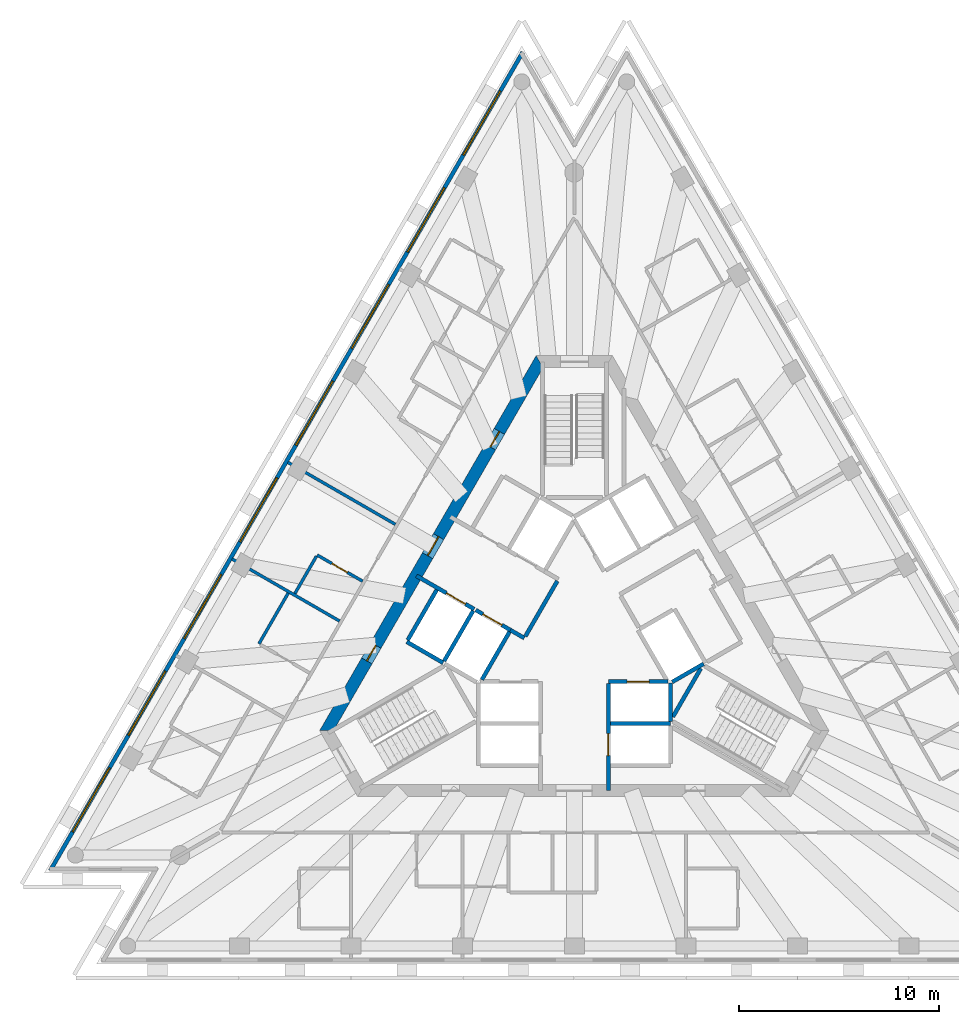
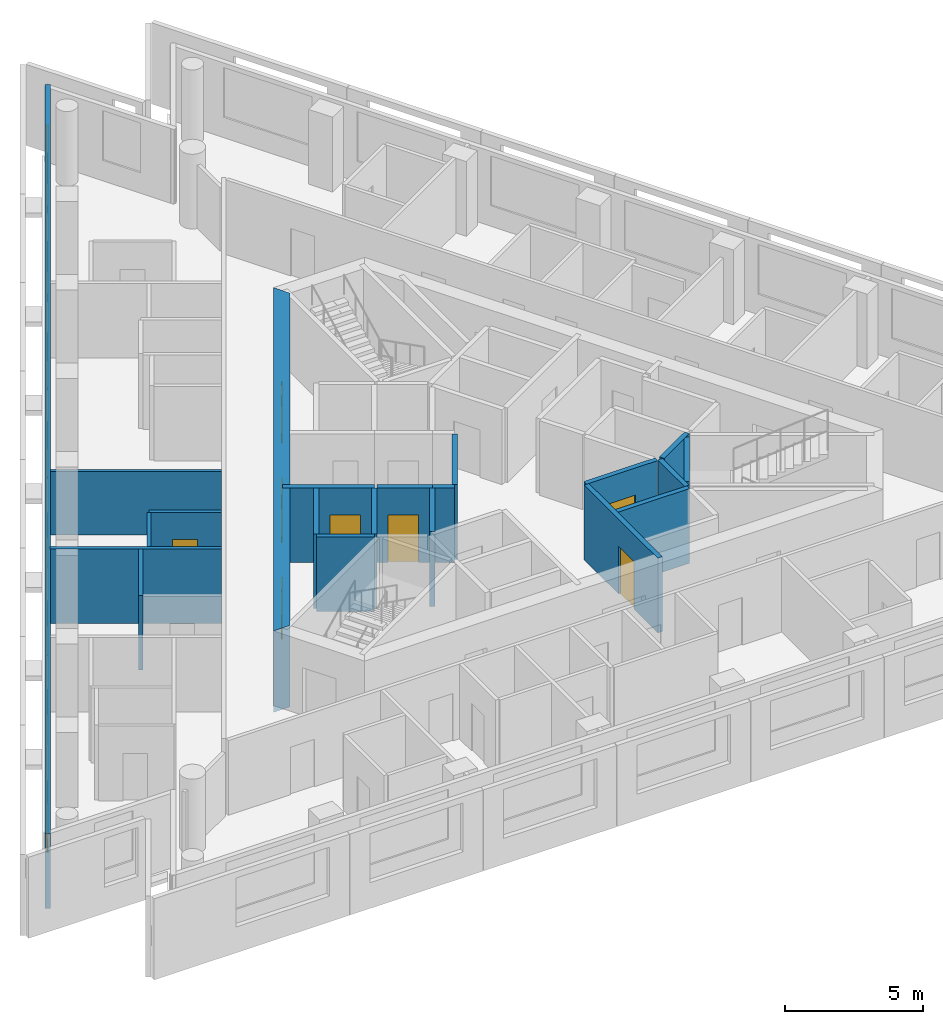
# One storey, part 4 of 10: 21 walls, 8 doors, 8 windows, 16 openings.
"""IFC4 building model written with IfcOpenShell, lengths in metres."""

from ifc_helpers import new_model, si_unit, direction, frame, frame_2d, origin, place, context, subcontext, project, spatial, polyline, rectangle, outline, extrude, material, layer, layer_set, layer_usage, type_object, element, fill, save


model = new_model("IFC4")

# Units and contexts
model_context = context("Model", 3, precision=1e-05, world=origin(), true_north=direction((0.0, 1.0)))
body_context = subcontext(model_context, "Body", "Model", "MODEL_VIEW")
ifc_project = project(units=[si_unit("LENGTHUNIT", "METRE"), si_unit("AREAUNIT", "SQUARE_METRE"), si_unit("VOLUMEUNIT", "CUBIC_METRE"), si_unit("PLANEANGLEUNIT", "RADIAN"), si_unit("MASSUNIT", "GRAM", prefix="KILO")], contexts=[model_context])

# Site, building, storey
site_placement = place(None, origin())
site = spatial("IfcSite", under=ifc_project, at=site_placement, CompositionType="ELEMENT")
building_placement = place(site_placement, origin())
building = spatial("IfcBuilding", under=site, at=building_placement, Name="Triada Interchange Tower", CompositionType="ELEMENT")
storey_placement = place(building_placement, frame((0.0, 0.0, 271.89990234375)))
storey = spatial("IfcBuildingStorey", under=building, at=storey_placement, Name="L63", CompositionType="ELEMENT", Elevation=271.89990234375)

# Walls
ifc_material_1 = material(Name="Concrete C30/37", Category="concrete")
ifc_layer_1 = layer(ifc_material_1, 0.199951171875)
ifc_layer_set_1 = layer_set([ifc_layer_1], Name="CORE WALL 200 EI 120")
wall_type_1 = type_object("IfcWallType", Name="CORE WALL 200 EI 120", PredefinedType="SOLIDWALL", material=ifc_layer_set_1)
wall_1_placement = place(storey_placement, frame((-8.3759765625, -0.70703125, 0.0), z_axis=(0.0, 0.0, 1.0), x_axis=(0.866067520717, -0.499927044236, 0.0)))
element("IfcWall", 1, at=wall_1_placement, inside=storey, type_object=wall_type_1, Name="Wall L62 66", PredefinedType="SOLIDWALL", context=body_context, shape_type="SweptSolid", body=[
    extrude(rectangle(XDim=2.100341796875, YDim=0.199951171875, at=frame_2d((1.05029296875, 0.0))), origin(), (0.0, 0.0, 1.0), 3.300048828125),
])
wall_2_placement = place(storey_placement, frame((-8.325927734375, -0.6201171875, 0.0), z_axis=(0.0, 0.0, 1.0), x_axis=(0.500023687443, 0.866011727401, 0.0)))
element("IfcWall", 2, at=wall_2_placement, inside=storey, type_object=wall_type_1, Name="Wall L62 67", PredefinedType="SOLIDWALL", context=body_context, shape_type="SweptSolid", body=[
    extrude(rectangle(XDim=2.899658203125, YDim=0.199951171875, at=frame_2d((1.44970703125, 0.0))), origin(), (0.0, 0.0, 1.0), 3.300048828125),
])
wall_3_placement = place(storey_placement, frame((1.800048828125, -4.800048828125, 0.0), z_axis=(0.0, 0.0, 1.0), x_axis=(1.0, 0.0, 0.0)))
element("IfcWall", 3, at=wall_3_placement, inside=storey, type_object=wall_type_1, Name="Wall L62 72", PredefinedType="SOLIDWALL", context=body_context, shape_type="SweptSolid", body=[
    extrude(rectangle(XDim=3.0, YDim=0.199951171875, at=frame_2d((1.5, 0.0))), origin(), (0.0, 0.0, 1.0), 3.300048828125),
])

# Wall, opening, door
wall_4_placement = place(storey_placement, frame((1.702880859375, -2.699951171875, 0.0), z_axis=(0.0, 0.0, 1.0), x_axis=(1.0, 0.0, 0.0)))
wall_4 = element("IfcWall", 4, at=wall_4_placement, inside=storey, type_object=wall_type_1, Name="Wall L62 75", PredefinedType="SOLIDWALL", context=body_context, shape_type="SweptSolid", body=[
    extrude(rectangle(XDim=2.97314453125, YDim=0.199951171875, at=frame_2d((1.486572265625, 0.0))), origin(), (0.0, 0.0, 1.0), 3.300048828125),
])
opening_1_placement = place(wall_4_placement, frame((0.93603515625, 0.0, 0.0)))
opening_1 = element("IfcOpeningElement", 5, at=opening_1_placement, cuts=wall_4, Name="Opening LD-HR1", PredefinedType="OPENING", context=body_context, shape_type="SweptSolid", body=[
    extrude(rectangle(XDim=1.10009765625, YDim=2.10009765625, at=frame_2d((0.550048828125, 1.050048828125))), frame((0.0, 0.10986328125, 0.0), z_axis=(0.0, -1.0, 0.0), x_axis=(1.0, 0.0, 0.0)), (0.0, 0.0, 1.0), 0.219970703125),
])
ifc_material_2 = material(Name="Steel S235 door leaf", Category="steel")
door_type_1 = type_object("IfcDoorType", Name="LIFT LANDING DOOR 1100 EI 120", OperationType="SLIDING_TO_LEFT", PredefinedType="DOOR", material=ifc_material_2)
door_1_placement = place(opening_1_placement, origin())
door_1 = element("IfcDoor", 6, at=door_1_placement, inside=storey, type_object=door_type_1, Name="HR1 landing door L63", OperationType="SLIDING_TO_LEFT", OverallHeight=2.10009765625, OverallWidth=1.10009765625, PredefinedType="DOOR", context=body_context, shape_type="SweptSolid", body=[
    extrude(rectangle(XDim=1.10009765625, YDim=2.10009765625, at=frame_2d((0.550048828125, 1.050048828125))), frame((0.0, 0.02490234375, 0.0), z_axis=(0.0, -1.0, 0.0), x_axis=(1.0, 0.0, 0.0)), (0.0, 0.0, 1.0), 0.050048828125),
])
fill(opening_1, door_1)

wall_5_placement = place(storey_placement, frame((1.699951171875, -8.1298828125, 0.0), z_axis=(0.0, 0.0, 1.0), x_axis=(0.0, 1.0, 0.0)))
wall_5 = element("IfcWall", 7, at=wall_5_placement, inside=storey, type_object=wall_type_1, Name="Wall L62 80", PredefinedType="SOLIDWALL", context=body_context, shape_type="SweptSolid", body=[
    extrude(rectangle(XDim=5.326904296875, YDim=0.199951171875, at=frame_2d((2.66357421875, 0.0))), origin(), (0.0, 0.0, 1.0), 3.300048828125),
])
opening_2_placement = place(wall_5_placement, frame((1.72998046875, 0.0, 0.0)))
opening_2 = element("IfcOpeningElement", 8, at=opening_2_placement, cuts=wall_5, Name="Opening LD-HR2", PredefinedType="OPENING", context=body_context, shape_type="SweptSolid", body=[
    extrude(rectangle(XDim=1.10009765625, YDim=2.10009765625, at=frame_2d((0.550048828125, 1.050048828125))), frame((0.0, 0.10986328125, 0.0), z_axis=(0.0, -1.0, 0.0), x_axis=(1.0, 0.0, 0.0)), (0.0, 0.0, 1.0), 0.219970703125),
])
door_2_placement = place(opening_2_placement, origin())
door_2 = element("IfcDoor", 9, at=door_2_placement, inside=storey, type_object=door_type_1, Name="HR2 landing door L63", OperationType="SLIDING_TO_LEFT", OverallHeight=2.10009765625, OverallWidth=1.10009765625, PredefinedType="DOOR", context=body_context, shape_type="SweptSolid", body=[
    extrude(rectangle(XDim=1.10009765625, YDim=2.10009765625, at=frame_2d((0.550048828125, 1.050048828125))), frame((0.0, 0.02490234375, 0.0), z_axis=(0.0, -1.0, 0.0), x_axis=(1.0, 0.0, 0.0)), (0.0, 0.0, 1.0), 0.050048828125),
])
fill(opening_2, door_2)

# Walls
wall_6_placement = place(storey_placement, frame((4.800048828125, -4.699951171875, 0.0), z_axis=(0.0, 0.0, 1.0), x_axis=(0.0, 1.0, 0.0)))
element("IfcWall", 10, at=wall_6_placement, inside=storey, type_object=wall_type_1, Name="Wall L62 82", PredefinedType="SOLIDWALL", context=body_context, shape_type="SweptSolid", body=[
    extrude(rectangle(XDim=1.928955078125, YDim=0.199951171875, at=frame_2d((0.96435546875, 0.0))), origin(), (0.0, 0.0, 1.0), 3.300048828125),
])
wall_7_placement = place(storey_placement, frame((4.89990234375, -2.714111328125, 0.0), z_axis=(0.0, 0.0, 1.0), x_axis=(0.865846928409, 0.500309001083, 0.0)))
element("IfcWall", 11, at=wall_7_placement, inside=storey, type_object=wall_type_1, Name="Wall L62 91", PredefinedType="SOLIDWALL", context=body_context, shape_type="SweptSolid", body=[
    extrude(rectangle(XDim=1.813232421875, YDim=0.199951171875, at=frame_2d((0.90673828125, 0.0))), origin(), (0.0, 0.0, 1.0), 3.300048828125),
])

# Wall, opening, door
ifc_layer_2 = layer(ifc_material_1, 0.199951171875)
ifc_layer_set_2 = layer_set([ifc_layer_2], Name="CORE WALL 200 EI 180")
wall_type_2 = type_object("IfcWallType", Name="CORE WALL 200 EI 180", PredefinedType="SOLIDWALL", material=ifc_layer_set_2)
wall_8_placement = place(storey_placement, frame((-7.89111328125, 2.593017578125, 0.0), z_axis=(0.0, 0.0, 1.0), x_axis=(0.866070917804, -0.499921159118, 0.0)))
wall_8 = element("IfcWall", 12, at=wall_8_placement, inside=storey, type_object=wall_type_2, Name="Wall L62 92", PredefinedType="SOLIDWALL", context=body_context, shape_type="SweptSolid", body=[
    extrude(rectangle(XDim=3.33251953125, YDim=0.199951171875, at=frame_2d((1.666259765625, 0.0))), origin(), (0.0, 0.0, 1.0), 3.300048828125),
])
opening_3_placement = place(wall_8_placement, frame((1.72998046875, 0.0, 0.0)))
opening_3 = element("IfcOpeningElement", 13, at=opening_3_placement, cuts=wall_8, Name="Opening LD-SV1", PredefinedType="OPENING", context=body_context, shape_type="SweptSolid", body=[
    extrude(rectangle(XDim=1.10009765625, YDim=2.10009765625, at=frame_2d((0.550048828125, 1.050048828125))), frame((0.0, 0.10986328125, 0.0), z_axis=(0.0, -1.0, 0.0), x_axis=(1.0, 0.0, 0.0)), (0.0, 0.0, 1.0), 0.219970703125),
])
door_3_placement = place(opening_3_placement, origin())
door_3 = element("IfcDoor", 14, at=door_3_placement, inside=storey, type_object=door_type_1, Name="SV1 landing door L63", OperationType="SLIDING_TO_LEFT", OverallHeight=2.10009765625, OverallWidth=1.10009765625, PredefinedType="DOOR", context=body_context, shape_type="SweptSolid", body=[
    extrude(rectangle(XDim=1.10009765625, YDim=2.10009765625, at=frame_2d((0.550048828125, 1.050048828125))), frame((0.0, 0.02490234375, 0.0), z_axis=(0.0, -1.0, 0.0), x_axis=(1.0, 0.0, 0.0)), (0.0, 0.0, 1.0), 0.050048828125),
])
fill(opening_3, door_3)

# Walls
wall_9_placement = place(storey_placement, frame((-3.18798828125, -0.1220703125, 0.0), z_axis=(0.0, 0.0, 1.0), x_axis=(0.865705793592, -0.50055317294, 0.0)))
element("IfcWall", 15, at=wall_9_placement, inside=storey, type_object=wall_type_2, Name="Wall L62 93", PredefinedType="SOLIDWALL", context=body_context, shape_type="SweptSolid", body=[
    extrude(rectangle(XDim=0.796875, YDim=0.199951171875, at=frame_2d((0.3984375, 0.0))), origin(), (0.0, 0.0, 1.0), 3.300048828125),
])
wall_10_placement = place(storey_placement, frame((-2.444091796875, -0.43310546875, 0.0), z_axis=(0.0, 0.0, 1.0), x_axis=(0.500035624827, 0.866004834804, 0.0)))
element("IfcWall", 16, at=wall_10_placement, inside=storey, type_object=wall_type_2, Name="Wall L62 98", PredefinedType="SOLIDWALL", context=body_context, shape_type="SweptSolid", body=[
    extrude(rectangle(XDim=3.194091796875, YDim=0.199951171875, at=frame_2d((1.59716796875, 0.0))), origin(), (0.0, 0.0, 1.0), 3.300048828125),
])
wall_11_placement = place(storey_placement, frame((-6.507080078125, -1.669921875, 0.0), z_axis=(0.0, 0.0, 1.0), x_axis=(0.50012328804, 0.865954211699, 0.0)))
element("IfcWall", 17, at=wall_11_placement, inside=storey, type_object=wall_type_2, Name="Shaft wall FF1 L62 99", PredefinedType="SOLIDWALL", context=body_context, shape_type="SweptSolid", body=[
    extrude(rectangle(XDim=2.899658203125, YDim=0.199951171875, at=frame_2d((1.44970703125, 0.0))), origin(), (0.0, 0.0, 1.0), 3.300048828125),
])

# Wall, opening, door
wall_12_placement = place(storey_placement, frame((-4.922119140625, 0.87890625, 0.0), z_axis=(0.0, 0.0, 1.0), x_axis=(0.866073918653, -0.499915960366, 0.0)))
wall_12 = element("IfcWall", 18, at=wall_12_placement, inside=storey, type_object=wall_type_2, Name="Shaft wall FF1 L62 101", PredefinedType="SOLIDWALL", context=body_context, shape_type="SweptSolid", body=[
    extrude(rectangle(XDim=2.002197265625, YDim=0.199951171875, at=frame_2d((1.0009765625, 0.0))), origin(), (0.0, 0.0, 1.0), 3.300048828125),
])
opening_4_placement = place(wall_12_placement, frame((0.402099609375, 0.0, 0.0)))
opening_4 = element("IfcOpeningElement", 19, at=opening_4_placement, cuts=wall_12, Name="Opening LD-FF1", PredefinedType="OPENING", context=body_context, shape_type="SweptSolid", body=[
    extrude(rectangle(XDim=1.10009765625, YDim=2.10009765625, at=frame_2d((0.550048828125, 1.050048828125))), frame((0.0, 0.10986328125, 0.0), z_axis=(0.0, -1.0, 0.0), x_axis=(1.0, 0.0, 0.0)), (0.0, 0.0, 1.0), 0.219970703125),
])
door_4_placement = place(opening_4_placement, origin())
door_4 = element("IfcDoor", 20, at=door_4_placement, inside=storey, type_object=door_type_1, Name="FF1 landing door L63", OperationType="SLIDING_TO_LEFT", OverallHeight=2.10009765625, OverallWidth=1.10009765625, PredefinedType="DOOR", context=body_context, shape_type="SweptSolid", body=[
    extrude(rectangle(XDim=1.10009765625, YDim=2.10009765625, at=frame_2d((0.550048828125, 1.050048828125))), frame((0.0, 0.02490234375, 0.0), z_axis=(0.0, -1.0, 0.0), x_axis=(1.0, 0.0, 0.0)), (0.0, 0.0, 1.0), 0.050048828125),
])
fill(opening_4, door_4)

# Walls
wall_13_placement = place(storey_placement, frame((-4.618896484375, -2.60009765625, 0.0), z_axis=(0.0, 0.0, 1.0), x_axis=(0.50009492287, 0.865970593103, 0.0)))
element("IfcWall", 21, at=wall_13_placement, inside=storey, type_object=wall_type_2, Name="Shaft wall FF1 L62 102", PredefinedType="SOLIDWALL", context=body_context, shape_type="SweptSolid", body=[
    extrude(rectangle(XDim=2.76123046875, YDim=0.199951171875, at=frame_2d((1.380615234375, 0.0))), origin(), (0.0, 0.0, 1.0), 3.300048828125),
])
ifc_layer_3 = layer(ifc_material_1, 0.199951171875)
ifc_layer_set_3 = layer_set([ifc_layer_3], Name="CORE WALL 200 REI 240")
wall_type_3 = type_object("IfcWallType", Name="CORE WALL 200 REI 240", PredefinedType="SOLIDWALL", material=ifc_layer_set_3)
wall_14_placement = place(storey_placement, frame((4.928955078125, -4.4619140625, 0.0), z_axis=(0.0, 0.0, 1.0), x_axis=(0.500200581029, 0.865909567298, 0.0)))
element("IfcWall", 22, at=wall_14_placement, inside=storey, type_object=wall_type_3, Name="Wall L62 119", PredefinedType="SOLIDWALL", context=body_context, shape_type="SweptSolid", body=[
    extrude(rectangle(XDim=2.799072265625, YDim=0.199951171875, at=frame_2d((1.3994140625, 0.0))), origin(), (0.0, 0.0, 1.0), 3.300048828125),
])

# Wall, openings, doors
ifc_material_3 = material(Name="Concrete C40/50", Category="concrete")
ifc_layer_4 = layer(ifc_material_3, 0.60009765625)
ifc_layer_set_4 = layer_set([ifc_layer_4], Name="Core wall D 600")
wall_type_4 = type_object("IfcWallType", Name="Core wall D 600", PredefinedType="SHEAR", material=ifc_layer_set_4)
wall_15_placement = place(storey_placement, frame((-1.73193359375, 13.300048828125, -0.2998046875), z_axis=(0.0, 0.0, 1.0), x_axis=(-0.500000539815, -0.866025092122, 0.0)))
wall_15 = element("IfcWall", 23, at=wall_15_placement, inside=storey, type_object=wall_type_4, Name="Core wall WD02 L63", PredefinedType="SHEAR", context=body_context, shape_type="SweptSolid", body=[
    extrude(outline(polyline([(-0.173095703125, -0.300048828125), (1.795166015625, -0.300048828125), (3.763427734375, -0.30029296875), (5.731689453125, -0.30029296875), (7.699951171875, -0.30029296875), (9.668212890625, -0.300537109375), (11.63671875, -0.300537109375), (13.60498046875, -0.30078125), (15.5732421875, -0.30078125), (17.54150390625, -0.30078125), (19.509765625, -0.301025390625), (21.47802734375, -0.301025390625), (21.131103515625, 0.300048828125), (19.225830078125, 0.300048828125), (17.320556640625, 0.300048828125), (15.415283203125, 0.300048828125), (13.510009765625, 0.300048828125), (11.604736328125, 0.300048828125), (9.699462890625, 0.300048828125), (7.794189453125, 0.300048828125), (5.888916015625, 0.300048828125), (3.983642578125, 0.300048828125), (2.078369140625, 0.300048828125), (0.173095703125, 0.300048828125), (-0.173095703125, -0.300048828125)])), origin(), (0.0, 0.0, 1.0), 3.599853515625),
])
opening_5_placement = place(wall_15_placement, frame((10.10205078125, 0.0, 0.300048828125)))
opening_5 = element("IfcOpeningElement", 24, at=opening_5_placement, cuts=wall_15, Name="Opening D62-51", PredefinedType="OPENING", context=body_context, shape_type="SweptSolid", body=[
    extrude(rectangle(XDim=1.10009765625, YDim=2.10009765625, at=frame_2d((0.550048828125, 1.050048828125))), frame((0.0, 0.31005859375, 0.0), z_axis=(0.0, -1.0, 0.0), x_axis=(1.0, 0.0, 0.0)), (0.0, 0.0, 1.0), 0.62109375),
])
opening_6_placement = place(wall_15_placement, frame((16.3779296875, 0.0, 0.300048828125)))
opening_6 = element("IfcOpeningElement", 25, at=opening_6_placement, cuts=wall_15, Name="Opening D62-52", PredefinedType="OPENING", context=body_context, shape_type="SweptSolid", body=[
    extrude(rectangle(XDim=0.89990234375, YDim=2.10009765625, at=frame_2d((0.449951171875, 1.050048828125))), frame((0.0, 0.31005859375, 0.0), z_axis=(0.0, -1.0, 0.0), x_axis=(1.0, 0.0, 0.0)), (0.0, 0.0, 1.0), 0.62109375),
])
opening_7_placement = place(wall_15_placement, frame((4.02587890625, 0.0, 0.300048828125)))
opening_7 = element("IfcOpeningElement", 26, at=opening_7_placement, cuts=wall_15, Name="Opening D62-54", PredefinedType="OPENING", context=body_context, shape_type="SweptSolid", body=[
    extrude(rectangle(XDim=0.89990234375, YDim=2.10009765625, at=frame_2d((0.449951171875, 1.050048828125))), frame((0.0, 0.31005859375, 0.0), z_axis=(0.0, -1.0, 0.0), x_axis=(1.0, 0.0, 0.0)), (0.0, 0.0, 1.0), 0.62109375),
])
door_type_2 = type_object("IfcDoorType", Name="FIRE LOBBY DOOR 1100 EI2 90-C5S200", OperationType="NOTDEFINED", PredefinedType="DOOR", material=ifc_material_2)
door_5_placement = place(opening_5_placement, origin())
door_5 = element("IfcDoor", 27, at=door_5_placement, inside=storey, type_object=door_type_2, Name="Door D62-51 L63", OperationType="SINGLE_SWING_RIGHT", OverallHeight=2.10009765625, OverallWidth=1.10009765625, PredefinedType="DOOR", context=body_context, shape_type="SweptSolid", body=[
    extrude(rectangle(XDim=1.10009765625, YDim=2.10009765625, at=frame_2d((0.550048828125, 1.050048828125))), frame((0.0, 0.02490234375, 0.0), z_axis=(0.0, -1.0, 0.0), x_axis=(1.0, 0.0, 0.0)), (0.0, 0.0, 1.0), 0.050048828125),
])
fill(opening_5, door_5)
door_type_3 = type_object("IfcDoorType", Name="SERVICE DOOR 900 EI2 45-C5S200", OperationType="NOTDEFINED", PredefinedType="DOOR", material=ifc_material_2)
door_6_placement = place(opening_6_placement, origin())
door_6 = element("IfcDoor", 28, at=door_6_placement, inside=storey, type_object=door_type_3, Name="Door D62-52 L63", OperationType="SINGLE_SWING_RIGHT", OverallHeight=2.10009765625, OverallWidth=0.89990234375, PredefinedType="DOOR", context=body_context, shape_type="SweptSolid", body=[
    extrude(rectangle(XDim=0.89990234375, YDim=2.10009765625, at=frame_2d((0.449951171875, 1.050048828125))), frame((0.0, 0.02490234375, 0.0), z_axis=(0.0, -1.0, 0.0), x_axis=(1.0, 0.0, 0.0)), (0.0, 0.0, 1.0), 0.050048828125),
])
fill(opening_6, door_6)
door_7_placement = place(opening_7_placement, origin())
door_7 = element("IfcDoor", 29, at=door_7_placement, inside=storey, type_object=door_type_3, Name="Door D62-54 L63", OperationType="SINGLE_SWING_LEFT", OverallHeight=2.10009765625, OverallWidth=0.89990234375, PredefinedType="DOOR", context=body_context, shape_type="SweptSolid", body=[
    extrude(rectangle(XDim=0.89990234375, YDim=2.10009765625, at=frame_2d((0.449951171875, 1.050048828125))), frame((0.0, 0.02490234375, 0.0), z_axis=(0.0, -1.0, 0.0), x_axis=(1.0, 0.0, 0.0)), (0.0, 0.0, 1.0), 0.050048828125),
])
fill(opening_7, door_7)

# Wall, openings, windows
ifc_material_4 = material(Name="Cement board")
ifc_layer_5 = layer(ifc_material_4, 0.02001953125, Name="Cement board cladding")
ifc_material_5 = material(Name="Sheathing board")
ifc_layer_6 = layer(ifc_material_5, 0.014892578125, Name="Sheathing board")
ifc_material_6 = material(Name="Mineral wool")
ifc_layer_7 = layer(ifc_material_6, 0.14990234375, Name="Mineral wool between steel studs")
ifc_material_7 = material(Name="Gypsum board")
ifc_layer_8 = layer(ifc_material_7, 0.014892578125, Name="Plasterboard lining")
ifc_layer_set_5 = layer_set([ifc_layer_5, ifc_layer_6, ifc_layer_7, ifc_layer_8], Name="External wall 200")
ifc_layer_usage = layer_usage(ifc_layer_set_5, "AXIS2", "POSITIVE", -0.10009765625)
wall_type_5 = type_object("IfcWallType", Name="External wall 200", PredefinedType="ELEMENTEDWALL", material=ifc_layer_set_5)
wall_16_placement = place(storey_placement, frame((-2.576904296875, 28.77099609375, 0.0), z_axis=(0.0, 0.0, 1.0), x_axis=(-0.49999909388, -0.866025926932, 0.0)))
wall_16 = element("IfcWall", 30, at=wall_16_placement, inside=storey, type_object=wall_type_5, material=ifc_layer_usage, Name="External wall L63 NW", PredefinedType="ELEMENTEDWALL", context=body_context, shape_type="SweptSolid", body=[
    extrude(rectangle(XDim=47.236328125, YDim=0.199951171875, at=frame_2d((23.6181640625, 0.0))), origin(), (0.0, 0.0, 1.0), 3.300048828125),
])
opening_8_placement = place(wall_16_placement, frame((2.242919921875, 0.0, 0.89990234375)))
opening_8 = element("IfcOpeningElement", 31, at=opening_8_placement, cuts=wall_16, Name="Opening WD01", PredefinedType="OPENING", context=body_context, shape_type="SweptSolid", body=[
    extrude(rectangle(XDim=3.699951171875, YDim=2.199951171875, at=frame_2d((1.85009765625, 1.10009765625))), frame((0.0, 0.10986328125, 0.0), z_axis=(0.0, -1.0, 0.0), x_axis=(1.0, 0.0, 0.0)), (0.0, 0.0, 1.0), 0.219970703125),
])
opening_9_placement = place(wall_16_placement, frame((7.823974609375, 0.0, 0.89990234375)))
opening_9 = element("IfcOpeningElement", 32, at=opening_9_placement, cuts=wall_16, Name="Opening WD02", PredefinedType="OPENING", context=body_context, shape_type="SweptSolid", body=[
    extrude(rectangle(XDim=3.699951171875, YDim=2.199951171875, at=frame_2d((1.85009765625, 1.10009765625))), frame((0.0, 0.10986328125, 0.0), z_axis=(0.0, -1.0, 0.0), x_axis=(1.0, 0.0, 0.0)), (0.0, 0.0, 1.0), 0.219970703125),
])
opening_10_placement = place(wall_16_placement, frame((13.406005859375, 0.0, 0.89990234375)))
opening_10 = element("IfcOpeningElement", 33, at=opening_10_placement, cuts=wall_16, Name="Opening WD03", PredefinedType="OPENING", context=body_context, shape_type="SweptSolid", body=[
    extrude(rectangle(XDim=3.699951171875, YDim=2.199951171875, at=frame_2d((1.85009765625, 1.10009765625))), frame((0.0, 0.10986328125, 0.0), z_axis=(0.0, -1.0, 0.0), x_axis=(1.0, 0.0, 0.0)), (0.0, 0.0, 1.0), 0.219970703125),
])
opening_11_placement = place(wall_16_placement, frame((18.987060546875, 0.0, 0.89990234375)))
opening_11 = element("IfcOpeningElement", 34, at=opening_11_placement, cuts=wall_16, Name="Opening WD04", PredefinedType="OPENING", context=body_context, shape_type="SweptSolid", body=[
    extrude(rectangle(XDim=3.699951171875, YDim=2.199951171875, at=frame_2d((1.85009765625, 1.10009765625))), frame((0.0, 0.10986328125, 0.0), z_axis=(0.0, -1.0, 0.0), x_axis=(1.0, 0.0, 0.0)), (0.0, 0.0, 1.0), 0.219970703125),
])
opening_12_placement = place(wall_16_placement, frame((24.569091796875, 0.0, 0.89990234375)))
opening_12 = element("IfcOpeningElement", 35, at=opening_12_placement, cuts=wall_16, Name="Opening WD05", PredefinedType="OPENING", context=body_context, shape_type="SweptSolid", body=[
    extrude(rectangle(XDim=3.699951171875, YDim=2.199951171875, at=frame_2d((1.85009765625, 1.10009765625))), frame((0.0, 0.10986328125, 0.0), z_axis=(0.0, -1.0, 0.0), x_axis=(1.0, 0.0, 0.0)), (0.0, 0.0, 1.0), 0.219970703125),
])
opening_13_placement = place(wall_16_placement, frame((30.14990234375, 0.0, 0.89990234375)))
opening_13 = element("IfcOpeningElement", 36, at=opening_13_placement, cuts=wall_16, Name="Opening WD06", PredefinedType="OPENING", context=body_context, shape_type="SweptSolid", body=[
    extrude(rectangle(XDim=3.699951171875, YDim=2.199951171875, at=frame_2d((1.85009765625, 1.10009765625))), frame((0.0, 0.10986328125, 0.0), z_axis=(0.0, -1.0, 0.0), x_axis=(1.0, 0.0, 0.0)), (0.0, 0.0, 1.0), 0.219970703125),
])
opening_14_placement = place(wall_16_placement, frame((35.73095703125, 0.0, 0.89990234375)))
opening_14 = element("IfcOpeningElement", 37, at=opening_14_placement, cuts=wall_16, Name="Opening WD07", PredefinedType="OPENING", context=body_context, shape_type="SweptSolid", body=[
    extrude(rectangle(XDim=3.699951171875, YDim=2.199951171875, at=frame_2d((1.85009765625, 1.10009765625))), frame((0.0, 0.10986328125, 0.0), z_axis=(0.0, -1.0, 0.0), x_axis=(1.0, 0.0, 0.0)), (0.0, 0.0, 1.0), 0.219970703125),
])
opening_15_placement = place(wall_16_placement, frame((41.31298828125, 0.0, 0.89990234375)))
opening_15 = element("IfcOpeningElement", 38, at=opening_15_placement, cuts=wall_16, Name="Opening WD08", PredefinedType="OPENING", context=body_context, shape_type="SweptSolid", body=[
    extrude(rectangle(XDim=3.699951171875, YDim=2.199951171875, at=frame_2d((1.85009765625, 1.10009765625))), frame((0.0, 0.10986328125, 0.0), z_axis=(0.0, -1.0, 0.0), x_axis=(1.0, 0.0, 0.0)), (0.0, 0.0, 1.0), 0.219970703125),
])
ifc_material_8 = material(Name="Double glazed aluminium window", Category="aluminium")
window_type = type_object("IfcWindowType", Name="Ribbon window D face", PartitioningType="SINGLE_PANEL", PredefinedType="WINDOW", material=ifc_material_8)
window_1_placement = place(opening_8_placement, origin())
window_1 = element("IfcWindow", 39, at=window_1_placement, inside=storey, type_object=window_type, Name="Window L63 NW 1", OverallHeight=2.199951171875, OverallWidth=3.699951171875, PartitioningType="SINGLE_PANEL", PredefinedType="WINDOW", context=body_context, shape_type="SweptSolid", body=[
    extrude(rectangle(XDim=3.699951171875, YDim=2.199951171875, at=frame_2d((1.85009765625, 1.10009765625))), frame((0.0, 0.030029296875, 0.0), z_axis=(0.0, -1.0, 0.0), x_axis=(1.0, 0.0, 0.0)), (0.0, 0.0, 1.0), 0.06005859375),
])
fill(opening_8, window_1)
window_2_placement = place(opening_9_placement, origin())
window_2 = element("IfcWindow", 40, at=window_2_placement, inside=storey, type_object=window_type, Name="Window L63 NW 2", OverallHeight=2.199951171875, OverallWidth=3.699951171875, PartitioningType="SINGLE_PANEL", PredefinedType="WINDOW", context=body_context, shape_type="SweptSolid", body=[
    extrude(rectangle(XDim=3.699951171875, YDim=2.199951171875, at=frame_2d((1.85009765625, 1.10009765625))), frame((0.0, 0.030029296875, 0.0), z_axis=(0.0, -1.0, 0.0), x_axis=(1.0, 0.0, 0.0)), (0.0, 0.0, 1.0), 0.06005859375),
])
fill(opening_9, window_2)
window_3_placement = place(opening_10_placement, origin())
window_3 = element("IfcWindow", 41, at=window_3_placement, inside=storey, type_object=window_type, Name="Window L63 NW 3", OverallHeight=2.199951171875, OverallWidth=3.699951171875, PartitioningType="SINGLE_PANEL", PredefinedType="WINDOW", context=body_context, shape_type="SweptSolid", body=[
    extrude(rectangle(XDim=3.699951171875, YDim=2.199951171875, at=frame_2d((1.85009765625, 1.10009765625))), frame((0.0, 0.030029296875, 0.0), z_axis=(0.0, -1.0, 0.0), x_axis=(1.0, 0.0, 0.0)), (0.0, 0.0, 1.0), 0.06005859375),
])
fill(opening_10, window_3)
window_4_placement = place(opening_11_placement, origin())
window_4 = element("IfcWindow", 42, at=window_4_placement, inside=storey, type_object=window_type, Name="Window L63 NW 4", OverallHeight=2.199951171875, OverallWidth=3.699951171875, PartitioningType="SINGLE_PANEL", PredefinedType="WINDOW", context=body_context, shape_type="SweptSolid", body=[
    extrude(rectangle(XDim=3.699951171875, YDim=2.199951171875, at=frame_2d((1.85009765625, 1.10009765625))), frame((0.0, 0.030029296875, 0.0), z_axis=(0.0, -1.0, 0.0), x_axis=(1.0, 0.0, 0.0)), (0.0, 0.0, 1.0), 0.06005859375),
])
fill(opening_11, window_4)
window_5_placement = place(opening_12_placement, origin())
window_5 = element("IfcWindow", 43, at=window_5_placement, inside=storey, type_object=window_type, Name="Window L63 NW 5", OverallHeight=2.199951171875, OverallWidth=3.699951171875, PartitioningType="SINGLE_PANEL", PredefinedType="WINDOW", context=body_context, shape_type="SweptSolid", body=[
    extrude(rectangle(XDim=3.699951171875, YDim=2.199951171875, at=frame_2d((1.85009765625, 1.10009765625))), frame((0.0, 0.030029296875, 0.0), z_axis=(0.0, -1.0, 0.0), x_axis=(1.0, 0.0, 0.0)), (0.0, 0.0, 1.0), 0.06005859375),
])
fill(opening_12, window_5)
window_6_placement = place(opening_13_placement, origin())
window_6 = element("IfcWindow", 44, at=window_6_placement, inside=storey, type_object=window_type, Name="Window L63 NW 6", OverallHeight=2.199951171875, OverallWidth=3.699951171875, PartitioningType="SINGLE_PANEL", PredefinedType="WINDOW", context=body_context, shape_type="SweptSolid", body=[
    extrude(rectangle(XDim=3.699951171875, YDim=2.199951171875, at=frame_2d((1.85009765625, 1.10009765625))), frame((0.0, 0.030029296875, 0.0), z_axis=(0.0, -1.0, 0.0), x_axis=(1.0, 0.0, 0.0)), (0.0, 0.0, 1.0), 0.06005859375),
])
fill(opening_13, window_6)
window_7_placement = place(opening_14_placement, origin())
window_7 = element("IfcWindow", 45, at=window_7_placement, inside=storey, type_object=window_type, Name="Window L63 NW 7", OverallHeight=2.199951171875, OverallWidth=3.699951171875, PartitioningType="SINGLE_PANEL", PredefinedType="WINDOW", context=body_context, shape_type="SweptSolid", body=[
    extrude(rectangle(XDim=3.699951171875, YDim=2.199951171875, at=frame_2d((1.85009765625, 1.10009765625))), frame((0.0, 0.030029296875, 0.0), z_axis=(0.0, -1.0, 0.0), x_axis=(1.0, 0.0, 0.0)), (0.0, 0.0, 1.0), 0.06005859375),
])
fill(opening_14, window_7)
window_8_placement = place(opening_15_placement, origin())
window_8 = element("IfcWindow", 46, at=window_8_placement, inside=storey, type_object=window_type, Name="Window L63 NW 8", OverallHeight=2.199951171875, OverallWidth=3.699951171875, PartitioningType="SINGLE_PANEL", PredefinedType="WINDOW", context=body_context, shape_type="SweptSolid", body=[
    extrude(rectangle(XDim=3.699951171875, YDim=2.199951171875, at=frame_2d((1.85009765625, 1.10009765625))), frame((0.0, 0.030029296875, 0.0), z_axis=(0.0, -1.0, 0.0), x_axis=(1.0, 0.0, 0.0)), (0.0, 0.0, 1.0), 0.06005859375),
])
fill(opening_15, window_8)

# Walls
ifc_material_9 = material(Name="Gypsum board partition")
ifc_layer_9 = layer(ifc_material_9, 0.14990234375)
ifc_layer_set_6 = layer_set([ifc_layer_9], Name="PARTITION 150 EI 180")
wall_type_6 = type_object("IfcWallType", Name="PARTITION 150 EI 180", PredefinedType="PARTITIONING", material=ifc_layer_set_6)
wall_17_placement = place(storey_placement, frame((-17.112060546875, 3.43505859375, 0.0), z_axis=(0.0, 0.0, 1.0), x_axis=(0.866043575568, -0.499968524226, 0.0)))
element("IfcWall", 47, at=wall_17_placement, inside=storey, type_object=wall_type_6, Name="Wall L62 6", PredefinedType="PARTITIONING", context=body_context, shape_type="SweptSolid", body=[
    extrude(rectangle(XDim=6.21240234375, YDim=0.14990234375, at=frame_2d((3.106201171875, 0.0))), origin(), (0.0, 0.0, 1.0), 3.300048828125),
])
wall_18_placement = place(storey_placement, frame((-14.321044921875, 8.26904296875, 0.0), z_axis=(0.0, 0.0, 1.0), x_axis=(0.866043575568, -0.499968524226, 0.0)))
element("IfcWall", 48, at=wall_18_placement, inside=storey, type_object=wall_type_6, Name="Wall L62 7", PredefinedType="PARTITIONING", context=body_context, shape_type="SweptSolid", body=[
    extrude(rectangle(XDim=6.21240234375, YDim=0.14990234375, at=frame_2d((3.106201171875, 0.0))), origin(), (0.0, 0.0, 1.0), 2.800048828125),
])

# Wall, opening, door
ifc_layer_10 = layer(ifc_material_9, 0.14990234375)
ifc_layer_set_7 = layer_set([ifc_layer_10], Name="PARTITION 150 EI 90")
wall_type_7 = type_object("IfcWallType", Name="PARTITION 150 EI 90", PredefinedType="PARTITIONING", material=ifc_layer_set_7)
wall_19_placement = place(storey_placement, frame((-12.85595703125, 3.633056640625, 0.0), z_axis=(0.0, 0.0, 1.0), x_axis=(0.866163910271, -0.499760022954, 0.0)))
wall_19 = element("IfcWall", 49, at=wall_19_placement, inside=storey, type_object=wall_type_7, Name="Wall L62 38", PredefinedType="PARTITIONING", context=body_context, shape_type="SweptSolid", body=[
    extrude(rectangle(XDim=2.625244140625, YDim=0.14990234375, at=frame_2d((1.3125, 0.0))), origin(), (0.0, 0.0, 1.0), 3.300048828125),
])
opening_16_placement = place(wall_19_placement, frame((0.85009765625, 0.0, 0.0)))
opening_16 = element("IfcOpeningElement", 50, at=opening_16_placement, cuts=wall_19, Name="Opening D62-41", PredefinedType="OPENING", context=body_context, shape_type="SweptSolid", body=[
    extrude(rectangle(XDim=0.89990234375, YDim=2.10009765625, at=frame_2d((0.449951171875, 1.050048828125))), frame((0.0, 0.0849609375, 0.0), z_axis=(0.0, -1.0, 0.0), x_axis=(1.0, 0.0, 0.0)), (0.0, 0.0, 1.0), 0.169921875),
])
door_type_4 = type_object("IfcDoorType", Name="ROOM DOOR 900 EI2 45-C5S200", OperationType="NOTDEFINED", PredefinedType="DOOR", material=ifc_material_2)
door_8_placement = place(opening_16_placement, origin())
door_8 = element("IfcDoor", 51, at=door_8_placement, inside=storey, type_object=door_type_4, Name="Door D62-41 L63", OperationType="SINGLE_SWING_LEFT", OverallHeight=2.10009765625, OverallWidth=0.89990234375, PredefinedType="DOOR", context=body_context, shape_type="SweptSolid", body=[
    extrude(rectangle(XDim=0.89990234375, YDim=2.10009765625, at=frame_2d((0.449951171875, 1.050048828125))), frame((0.0, 0.02490234375, 0.0), z_axis=(0.0, -1.0, 0.0), x_axis=(1.0, 0.0, 0.0)), (0.0, 0.0, 1.0), 0.050048828125),
])
fill(opening_16, door_8)

# Walls
wall_20_placement = place(storey_placement, frame((-13.968017578125, 1.70703125, 0.0), z_axis=(0.0, 0.0, 1.0), x_axis=(0.500158362642, 0.865933953763, 0.0)))
element("IfcWall", 52, at=wall_20_placement, inside=storey, type_object=wall_type_7, Name="Wall L62 39", PredefinedType="PARTITIONING", context=body_context, shape_type="SweptSolid", body=[
    extrude(rectangle(XDim=2.149169921875, YDim=0.14990234375, at=frame_2d((1.07470703125, 0.0))), origin(), (0.0, 0.0, 1.0), 3.300048828125),
])
wall_21_placement = place(storey_placement, frame((-15.764892578125, -0.806884765625, 0.0), z_axis=(0.0, 0.0, 1.0), x_axis=(0.499729678228, 0.86618141789, 0.0)))
element("IfcWall", 53, at=wall_21_placement, inside=storey, type_object=wall_type_7, Name="Wall L62 41", PredefinedType="PARTITIONING", context=body_context, shape_type="SweptSolid", body=[
    extrude(rectangle(XDim=2.92529296875, YDim=0.14990234375, at=frame_2d((1.462646484375, 0.0))), origin(), (0.0, 0.0, 1.0), 3.300048828125),
])

save(model, "model.ifc")
